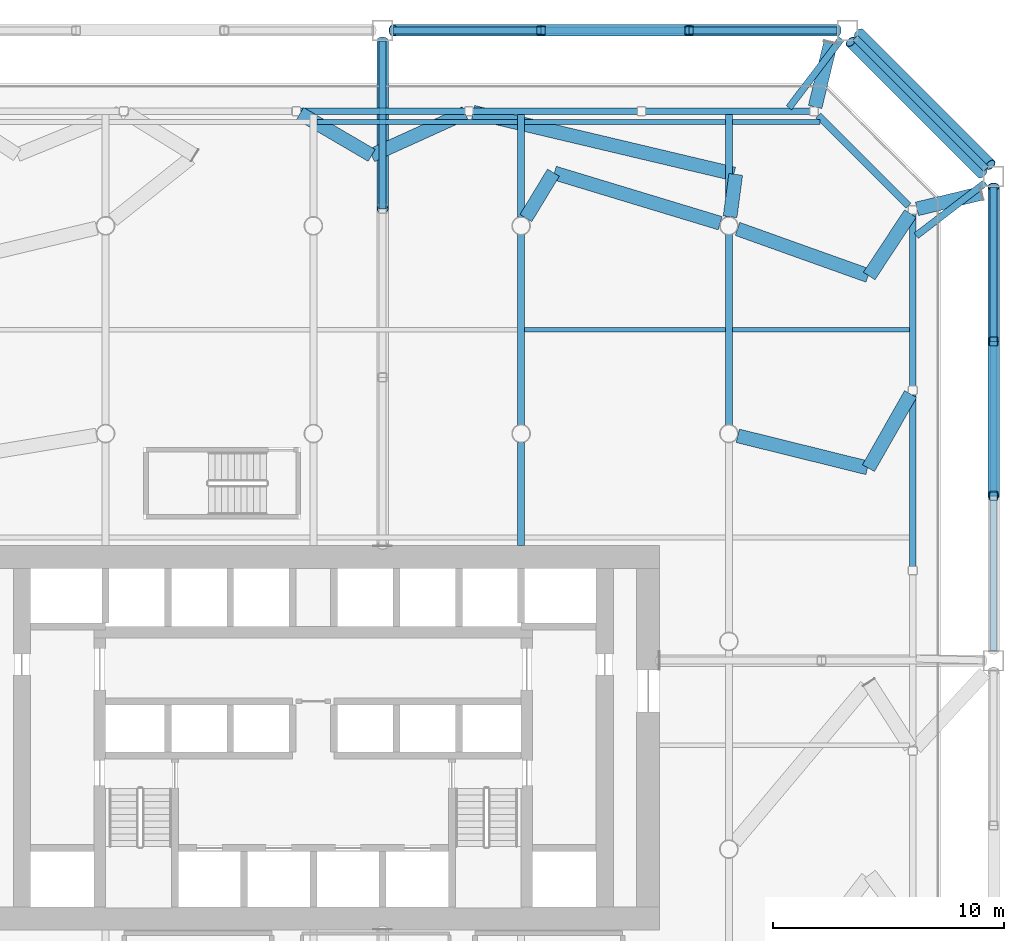
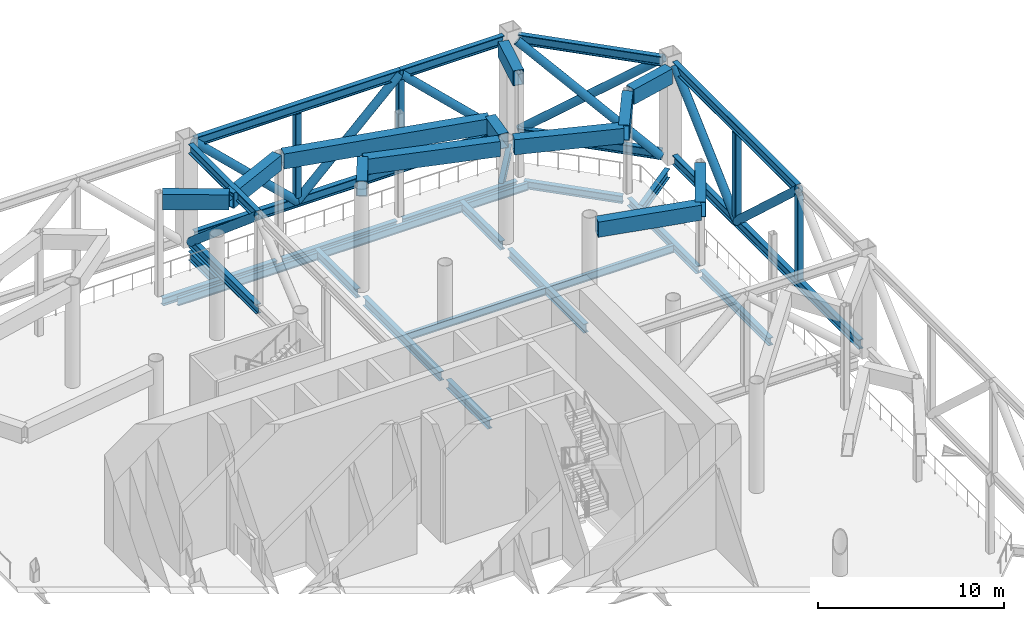
# One storey, part 6 of 20: 42 beams, 12 members.
"""IFC4 building model written with IfcOpenShell, lengths in metres."""

from ifc_helpers import new_model, si_unit, direction, frame, origin, origin_2d, place, context, subcontext, project, spatial, hollow_rectangle, hollow_circle, i_section, extrude, material, material_profile, profile_set, type_object, element, save


model = new_model("IFC4")

# Units and contexts
model_context = context("Model", 3, precision=1e-05, world=origin(), true_north=direction((0.0, 1.0)))
body_context = subcontext(model_context, "Body", "Model", "MODEL_VIEW")
ifc_project = project(units=[si_unit("LENGTHUNIT", "METRE"), si_unit("AREAUNIT", "SQUARE_METRE"), si_unit("VOLUMEUNIT", "CUBIC_METRE"), si_unit("PLANEANGLEUNIT", "RADIAN"), si_unit("MASSUNIT", "GRAM", prefix="KILO")], contexts=[model_context])

# Site, building, storey
site_placement = place(None, origin())
site = spatial("IfcSite", under=ifc_project, at=site_placement, CompositionType="ELEMENT")
building_placement = place(site_placement, origin())
building = spatial("IfcBuilding", under=site, at=building_placement, Name="Tskaro Facet Tower", CompositionType="ELEMENT")
storey_placement = place(building_placement, frame((0.0, 0.0, 114.300048828125)))
storey = spatial("IfcBuildingStorey", under=building, at=storey_placement, Name="L27", CompositionType="ELEMENT", Elevation=114.300048828125)

# Beams
ifc_material_1 = material(Name="Steel S355J2", Category="steel")
ifc_material_profile_1 = material_profile(ifc_material_1, hollow_rectangle(XDim=0.60009765625, YDim=1.0, WallThickness=0.0400390625, at=origin_2d()), Name="BOX 600x1000x40")
ifc_profile_set_1 = profile_set([ifc_material_profile_1], Name="Steel S355J2")
beam_type_1 = type_object("IfcBeamType", Name="BOX 600x1000x40 transfer girder", PredefinedType="BEAM", material=ifc_profile_set_1)
for number, where, z_axis, x_axis, name in (
    (1, (28.932373046875, 19.408447265625, 6.280029296875), (-0.971911603284, -0.235346203287, 0.0), (0.235346203287, -0.971911603284, 0.0), "BOX 600x1000x40 TG3-7"),
    (2, (22.408447265625, 25.932373046875, 6.280029296875), (-0.235346203287, -0.971911603284, 0.0), (0.971911603284, -0.235346203287, 0.0), "BOX 600x1000x40 TG3-8"),
):
    element("IfcBeam", number, at=place(storey_placement, frame(where, z_axis=z_axis, x_axis=x_axis)), inside=storey, type_object=beam_type_1, Name=name, PredefinedType="BEAM", context=body_context, shape_type="SweptSolid", body=[
        extrude(hollow_rectangle(XDim=0.60009765625, YDim=1.0, WallThickness=0.0400390625, at=origin_2d()), origin(), (0.0, 0.0, 1.0), 2.863037109375),
    ])
beam_1_placement = place(storey_placement, frame((18.295654296875, 20.228759765625, 6.280029296875), z_axis=(-0.131446900286, -0.991323212885, 0.0), x_axis=(0.991323212885, -0.131446900286, 0.0)))
element("IfcBeam", 3, at=beam_1_placement, inside=storey, type_object=beam_type_1, Name="BOX 600x1000x40 TG3-11", PredefinedType="BEAM", context=body_context, shape_type="SweptSolid", body=[
    extrude(hollow_rectangle(XDim=0.60009765625, YDim=1.0, WallThickness=0.0400390625, at=origin_2d()), origin(), (0.0, 0.0, 1.0), 1.851806640625),
])
beam_2_placement = place(storey_placement, frame((18.2177734375, 20.247314453125, 6.280029296875), z_axis=(-0.973105108558, 0.23036155864, 0.0), x_axis=(-0.23036155864, -0.973105108558, 0.0)))
element("IfcBeam", 4, at=beam_2_placement, inside=storey, type_object=beam_type_1, Name="BOX 600x1000x40 TG3-12", PredefinedType="BEAM", context=body_context, shape_type="SweptSolid", body=[
    extrude(hollow_rectangle(XDim=0.60009765625, YDim=1.0, WallThickness=0.0400390625, at=origin_2d()), origin(), (0.0, 0.0, 1.0), 11.607177734375),
])
beam_3_placement = place(storey_placement, frame((10.398681640625, 20.303955078125, 6.280029296875), z_axis=(-0.518908848062, -0.854829577988, 0.0), x_axis=(0.854829577988, -0.518908848062, 0.0)))
element("IfcBeam", 5, at=beam_3_placement, inside=storey, type_object=beam_type_1, Name="BOX 600x1000x40 TG3-21", PredefinedType="BEAM", context=body_context, shape_type="SweptSolid", body=[
    extrude(hollow_rectangle(XDim=0.60009765625, YDim=1.0, WallThickness=0.0400390625, at=origin_2d()), origin(), (0.0, 0.0, 1.0), 2.298828125),
])
beam_4_placement = place(storey_placement, frame((10.436767578125, 20.292236328125, 6.280029296875), z_axis=(0.957012367894, -0.290047112893, 0.0), x_axis=(0.290047112893, 0.957012367894, 0.0)))
element("IfcBeam", 6, at=beam_4_placement, inside=storey, type_object=beam_type_1, Name="BOX 600x1000x40 TG3-22", PredefinedType="BEAM", context=body_context, shape_type="SweptSolid", body=[
    extrude(hollow_rectangle(XDim=0.60009765625, YDim=1.0, WallThickness=0.0400390625, at=origin_2d()), origin(), (0.0, 0.0, 1.0), 7.506591796875),
])
beam_5_placement = place(storey_placement, frame((24.076904296875, 15.8271484375, 6.280029296875), z_axis=(0.550536640237, 0.834811001219, 0.0), x_axis=(-0.834811001219, 0.550536640237, 0.0)))
element("IfcBeam", 7, at=beam_5_placement, inside=storey, type_object=beam_type_1, Name="BOX 600x1000x40 TG3-34", PredefinedType="BEAM", context=body_context, shape_type="SweptSolid", body=[
    extrude(hollow_rectangle(XDim=0.60009765625, YDim=1.0, WallThickness=0.0400390625, at=origin_2d()), origin(), (0.0, 0.0, 1.0), 3.239501953125),
])
beam_6_placement = place(storey_placement, frame((24.0390625, 15.840576171875, 6.280029296875), z_axis=(-0.94161608268, 0.336688510108, 0.0), x_axis=(-0.336688510108, -0.94161608268, 0.0)))
element("IfcBeam", 8, at=beam_6_placement, inside=storey, type_object=beam_type_1, Name="BOX 600x1000x40 TG3-35", PredefinedType="BEAM", context=body_context, shape_type="SweptSolid", body=[
    extrude(hollow_rectangle(XDim=0.60009765625, YDim=1.0, WallThickness=0.0400390625, at=origin_2d()), origin(), (0.0, 0.0, 1.0), 6.01708984375),
])
beam_7_placement = place(storey_placement, frame((2.525390625, 21.052001953125, 6.280029296875), z_axis=(-0.862694903064, 0.505724731674, 0.0), x_axis=(-0.505724731674, -0.862694903064, 0.0)))
element("IfcBeam", 9, at=beam_7_placement, inside=storey, type_object=beam_type_1, Name="BOX 600x1000x40 TG3-44", PredefinedType="BEAM", context=body_context, shape_type="SweptSolid", body=[
    extrude(hollow_rectangle(XDim=0.60009765625, YDim=1.0, WallThickness=0.0400390625, at=origin_2d()), origin(), (0.0, 0.0, 1.0), 3.5927734375),
])
beam_8_placement = place(storey_placement, frame((2.525390625, 21.052001953125, 6.280029296875), z_axis=(0.910509649067, 0.413487822017, 0.0), x_axis=(-0.413487822017, 0.910509649067, 0.0)))
element("IfcBeam", 10, at=beam_8_placement, inside=storey, type_object=beam_type_1, Name="BOX 600x1000x40 TG3-45", PredefinedType="BEAM", context=body_context, shape_type="SweptSolid", body=[
    extrude(hollow_rectangle(XDim=0.60009765625, YDim=1.0, WallThickness=0.0400390625, at=origin_2d()), origin(), (0.0, 0.0, 1.0), 4.4365234375),
])
beam_9_placement = place(storey_placement, frame((24.0458984375, 7.504150390625, 6.280029296875), z_axis=(0.494314960555, 0.869282876728, 0.0), x_axis=(-0.869282876728, 0.494314960555, 0.0)))
element("IfcBeam", 11, at=beam_9_placement, inside=storey, type_object=beam_type_1, Name="BOX 600x1000x40 TG3-48", PredefinedType="BEAM", context=body_context, shape_type="SweptSolid", body=[
    extrude(hollow_rectangle(XDim=0.60009765625, YDim=1.0, WallThickness=0.0400390625, at=origin_2d()), origin(), (0.0, 0.0, 1.0), 3.6923828125),
])
beam_10_placement = place(storey_placement, frame((24.007080078125, 7.513671875, 6.280029296875), z_axis=(-0.970727306276, 0.240184297675, 0.0), x_axis=(-0.240184297675, -0.970727306276, 0.0)))
element("IfcBeam", 12, at=beam_10_placement, inside=storey, type_object=beam_type_1, Name="BOX 600x1000x40 TG3-49", PredefinedType="BEAM", context=body_context, shape_type="SweptSolid", body=[
    extrude(hollow_rectangle(XDim=0.60009765625, YDim=1.0, WallThickness=0.0400390625, at=origin_2d()), origin(), (0.0, 0.0, 1.0), 5.791748046875),
])

# Members
ifc_material_2 = material(Name="Steel S355J2H", Category="steel")
ifc_material_profile_2 = material_profile(ifc_material_2, hollow_circle(Radius=0.25390625, WallThickness=0.02490234375, at=origin_2d()), Name="CHS 508x25")
ifc_profile_set_2 = profile_set([ifc_material_profile_2], Name="Steel S355J2H")
member_type_1 = type_object("IfcMemberType", Name="CHS 508x25 belt diagonal", PredefinedType="BRACE", material=ifc_profile_set_2)
for number, where, z_axis, x_axis, name in (
    (13, (29.467041015625, 6.3056640625, 6.469970703125), (0.0, 0.735783347307, -0.677217000544), (-1.0, 0.0, 0.0), "CHS 508x25 BD2-052"),
    (14, (29.467041015625, 12.998291015625, 0.31005859375), (0.0, 0.735783347307, 0.677217000544), (-1.0, 0.0, 0.0), "CHS 508x25 BD2-053"),
):
    element("IfcMember", number, at=place(storey_placement, frame(where, z_axis=z_axis, x_axis=x_axis)), inside=storey, type_object=member_type_1, Name=name, PredefinedType="BRACE", context=body_context, shape_type="SweptSolid", body=[
        extrude(hollow_circle(Radius=0.25390625, WallThickness=0.02490234375, at=origin_2d()), origin(), (0.0, 0.0, 1.0), 9.095947265625),
    ])
member_1_placement = place(storey_placement, frame((28.96923828125, 20.279541015625, 0.31005859375), z_axis=(-0.561468566945, 0.561468566945, 0.607870131414), x_axis=(-0.707106781187, -0.707106781187, 0.0)))
element("IfcMember", 15, at=member_1_placement, inside=storey, type_object=member_type_1, Name="CHS 508x25 BD2-061", PredefinedType="BRACE", context=body_context, shape_type="SweptSolid", body=[
    extrude(hollow_circle(Radius=0.25390625, WallThickness=0.02490234375, at=origin_2d()), origin(), (0.0, 0.0, 1.0), 10.133544921875),
])
member_2_placement = place(storey_placement, frame((29.328369140625, 20.638916015625, 6.469970703125), z_axis=(-0.561459664372, 0.561459664372, -0.607886577058), x_axis=(-0.707106781187, -0.707106781187, 0.0)))
element("IfcMember", 16, at=member_2_placement, inside=storey, type_object=member_type_1, Name="CHS 508x25 BD2-062", PredefinedType="BRACE", context=body_context, shape_type="SweptSolid", body=[
    extrude(hollow_circle(Radius=0.25390625, WallThickness=0.02490234375, at=origin_2d()), origin(), (0.0, 0.0, 1.0), 10.13330078125),
])
for number, where, z_axis, x_axis, name in (
    (17, (22.69091796875, 26.467041015625, 0.31005859375), (-0.721225455609, 0.0, 0.692700398572), (0.0, -1.0, 0.0), "CHS 508x25 BD2-071"),
    (18, (16.27734375, 26.467041015625, 6.469970703125), (-0.721225455609, 0.0, -0.692700398572), (0.0, -1.0, 0.0), "CHS 508x25 BD2-072"),
):
    element("IfcMember", number, at=place(storey_placement, frame(where, z_axis=z_axis, x_axis=x_axis)), inside=storey, type_object=member_type_1, Name=name, PredefinedType="BRACE", context=body_context, shape_type="SweptSolid", body=[
        extrude(hollow_circle(Radius=0.25390625, WallThickness=0.02490234375, at=origin_2d()), origin(), (0.0, 0.0, 1.0), 8.892578125),
    ])
member_3_placement = place(storey_placement, frame((9.86376953125, 26.467041015625, 0.31005859375), z_axis=(-0.721238628738, 0.0, 0.692686682719), x_axis=(0.0, -1.0, 0.0)))
element("IfcMember", 19, at=member_3_placement, inside=storey, type_object=member_type_1, Name="CHS 508x25 BD2-073", PredefinedType="BRACE", context=body_context, shape_type="SweptSolid", body=[
    extrude(hollow_circle(Radius=0.25390625, WallThickness=0.02490234375, at=origin_2d()), origin(), (0.0, 0.0, 1.0), 8.892822265625),
])
ifc_material_profile_3 = material_profile(ifc_material_2, hollow_circle(Radius=0.25390625, WallThickness=0.02490234375, at=origin_2d()), Name="CHS 508x25")
ifc_profile_set_3 = profile_set([ifc_material_profile_3], Name="Steel S355J2H")
member_type_2 = type_object("IfcMemberType", Name="CHS 508x25 outrigger truss diagonal", PredefinedType="BRACE", material=ifc_profile_set_3)
member_4_placement = place(storey_placement, frame((3.0, 26.01708984375, 0.31005859375), z_axis=(0.0, -0.763786899324, 0.64546849065), x_axis=(1.0, 0.0, 0.0)))
element("IfcMember", 20, at=member_4_placement, inside=storey, type_object=member_type_2, Name="Outrigger truss diagonal OR2N-D1", PredefinedType="BRACE", context=body_context, shape_type="SweptSolid", body=[
    extrude(hollow_circle(Radius=0.25390625, WallThickness=0.02490234375, at=origin_2d()), origin(), (0.0, 0.0, 1.0), 9.543212890625),
])

# Beams
ifc_material_profile_4 = material_profile(ifc_material_1, i_section(OverallWidth=0.300048828125, OverallDepth=0.5, WebThickness=0.014404296875, FlangeThickness=0.028076171875, FilletRadius=0.027099609375, at=origin_2d()), Name="HE 500 B")
ifc_profile_set_4 = profile_set([ifc_material_profile_4], Name="Steel S355J2")
beam_type_2 = type_object("IfcBeamType", Name="HE 500 B ring beam", PredefinedType="BEAM", material=ifc_profile_set_4)
for number, where, z_axis, x_axis, name in (
    (21, (25.965087890625, 3.248046875, -0.5), (0.0, 1.0, 0.0), (-1.0, 0.0, 0.0), "HE 500 B EB10-2"),
    (22, (25.965087890625, 11.05908203125, -0.5), (0.0, 1.0, 0.0), (-1.0, 0.0, 0.0), "HE 500 B EB11-2"),
):
    element("IfcBeam", number, at=place(storey_placement, frame(where, z_axis=z_axis, x_axis=x_axis)), inside=storey, type_object=beam_type_2, Name=name, PredefinedType="BEAM", context=body_context, shape_type="SweptSolid", body=[
        extrude(i_section(OverallWidth=0.300048828125, OverallDepth=0.5, WebThickness=0.014404296875, FlangeThickness=0.028076171875, FilletRadius=0.027099609375, at=origin_2d()), origin(), (0.0, 0.0, 1.0), 7.450927734375),
    ])
beam_11_placement = place(storey_placement, frame((25.779052734375, 18.8759765625, -0.5), z_axis=(-0.707106781187, 0.707106781187, 0.0), x_axis=(-0.707106781187, -0.707106781187, 0.0)))
element("IfcBeam", 23, at=beam_11_placement, inside=storey, type_object=beam_type_2, Name="HE 500 B EB12-2", PredefinedType="BEAM", context=body_context, shape_type="SweptSolid", body=[
    extrude(i_section(OverallWidth=0.300048828125, OverallDepth=0.5, WebThickness=0.014404296875, FlangeThickness=0.028076171875, FilletRadius=0.027099609375, at=origin_2d()), origin(), (0.0, 0.0, 1.0), 5.519775390625),
])
for number, where, z_axis, x_axis, name in (
    (24, (21.510009765625, 22.965087890625, -0.5), (-1.0, 0.0, 0.0), (0.0, -1.0, 0.0), "HE 500 B EB13-2"),
    (25, (14.033935546875, 22.965087890625, -0.5), (-1.0, 0.0, 0.0), (0.0, -1.0, 0.0), "HE 500 B EB14-2"),
):
    element("IfcBeam", number, at=place(storey_placement, frame(where, z_axis=z_axis, x_axis=x_axis)), inside=storey, type_object=beam_type_2, Name=name, PredefinedType="BEAM", context=body_context, shape_type="SweptSolid", body=[
        extrude(i_section(OverallWidth=0.300048828125, OverallDepth=0.5, WebThickness=0.014404296875, FlangeThickness=0.028076171875, FilletRadius=0.027099609375, at=origin_2d()), origin(), (0.0, 0.0, 1.0), 7.115966796875),
    ])
beam_12_placement = place(storey_placement, frame((6.55810546875, 22.965087890625, -0.5), z_axis=(-1.0, 0.0, 0.0), x_axis=(0.0, -1.0, 0.0)))
element("IfcBeam", 26, at=beam_12_placement, inside=storey, type_object=beam_type_2, Name="HE 500 B EB15-2", PredefinedType="BEAM", context=body_context, shape_type="SweptSolid", body=[
    extrude(i_section(OverallWidth=0.300048828125, OverallDepth=0.5, WebThickness=0.014404296875, FlangeThickness=0.028076171875, FilletRadius=0.027099609375, at=origin_2d()), origin(), (0.0, 0.0, 1.0), 7.1162109375),
])
ifc_material_profile_5 = material_profile(ifc_material_1, i_section(OverallWidth=0.300048828125, OverallDepth=0.590087890625, WebThickness=0.012939453125, FlangeThickness=0.02490234375, FilletRadius=0.027099609375, at=origin_2d()), Name="HE 600 A")
ifc_profile_set_5 = profile_set([ifc_material_profile_5], Name="Steel S355J2")
beam_type_3 = type_object("IfcBeamType", Name="HE 600 A girder", PredefinedType="BEAM", material=ifc_profile_set_5)
beam_13_placement = place(storey_placement, frame((9.0, 4.14990234375, -0.545166015625), z_axis=(0.0, 1.0, 0.0), x_axis=(-1.0, 0.0, 0.0)))
element("IfcBeam", 27, at=beam_13_placement, inside=storey, type_object=beam_type_3, Name="HE 600 A GB5-3-2", PredefinedType="BEAM", context=body_context, shape_type="SweptSolid", body=[
    extrude(i_section(OverallWidth=0.300048828125, OverallDepth=0.590087890625, WebThickness=0.012939453125, FlangeThickness=0.02490234375, FilletRadius=0.027099609375, at=origin_2d()), origin(), (0.0, 0.0, 1.0), 4.4736328125),
])
beam_14_placement = place(storey_placement, frame((9.0, 9.37646484375, -0.545166015625), z_axis=(0.0, 1.0, 0.0), x_axis=(-1.0, 0.0, 0.0)))
element("IfcBeam", 28, at=beam_14_placement, inside=storey, type_object=beam_type_3, Name="HE 600 A GB5-4-2", PredefinedType="BEAM", context=body_context, shape_type="SweptSolid", body=[
    extrude(i_section(OverallWidth=0.300048828125, OverallDepth=0.590087890625, WebThickness=0.012939453125, FlangeThickness=0.02490234375, FilletRadius=0.027099609375, at=origin_2d()), origin(), (0.0, 0.0, 1.0), 8.2470703125),
])
beam_15_placement = place(storey_placement, frame((9.0, 18.37646484375, -0.545166015625), z_axis=(0.0, 1.0, 0.0), x_axis=(-1.0, 0.0, 0.0)))
element("IfcBeam", 29, at=beam_15_placement, inside=storey, type_object=beam_type_3, Name="HE 600 A GB5-5-2", PredefinedType="BEAM", context=body_context, shape_type="SweptSolid", body=[
    extrude(i_section(OverallWidth=0.300048828125, OverallDepth=0.590087890625, WebThickness=0.012939453125, FlangeThickness=0.02490234375, FilletRadius=0.027099609375, at=origin_2d()), origin(), (0.0, 0.0, 1.0), 4.4384765625),
])
beam_16_placement = place(storey_placement, frame((18.0, 9.37646484375, -0.545166015625), z_axis=(0.0, 1.0, 0.0), x_axis=(-1.0, 0.0, 0.0)))
element("IfcBeam", 30, at=beam_16_placement, inside=storey, type_object=beam_type_3, Name="HE 600 A GB6-5-2", PredefinedType="BEAM", context=body_context, shape_type="SweptSolid", body=[
    extrude(i_section(OverallWidth=0.300048828125, OverallDepth=0.590087890625, WebThickness=0.012939453125, FlangeThickness=0.02490234375, FilletRadius=0.027099609375, at=origin_2d()), origin(), (0.0, 0.0, 1.0), 8.2470703125),
])
beam_17_placement = place(storey_placement, frame((18.0, 18.37646484375, -0.545166015625), z_axis=(0.0, 1.0, 0.0), x_axis=(-1.0, 0.0, 0.0)))
element("IfcBeam", 31, at=beam_17_placement, inside=storey, type_object=beam_type_3, Name="HE 600 A GB6-6-2", PredefinedType="BEAM", context=body_context, shape_type="SweptSolid", body=[
    extrude(i_section(OverallWidth=0.300048828125, OverallDepth=0.590087890625, WebThickness=0.012939453125, FlangeThickness=0.02490234375, FilletRadius=0.027099609375, at=origin_2d()), origin(), (0.0, 0.0, 1.0), 4.4384765625),
])
ifc_material_profile_6 = material_profile(ifc_material_1, i_section(OverallWidth=0.300048828125, OverallDepth=0.60009765625, WebThickness=0.015380859375, FlangeThickness=0.030029296875, FilletRadius=0.027099609375, at=origin_2d()), Name="HE 600 B")
ifc_profile_set_6 = profile_set([ifc_material_profile_6], Name="Steel S355J2")
beam_type_4 = type_object("IfcBeamType", Name="HE 600 B floor strut", PredefinedType="BEAM", material=ifc_profile_set_6)
beam_18_placement = place(storey_placement, frame((29.109619140625, 19.867431640625, -0.550048828125), z_axis=(-0.794072927942, -0.607822494738, 0.0), x_axis=(0.607822494738, -0.794072927942, 0.0)))
element("IfcBeam", 32, at=beam_18_placement, inside=storey, type_object=beam_type_4, Name="HE 600 B ES2-06", PredefinedType="BEAM", context=body_context, shape_type="SweptSolid", body=[
    extrude(i_section(OverallWidth=0.300048828125, OverallDepth=0.60009765625, WebThickness=0.015380859375, FlangeThickness=0.030029296875, FilletRadius=0.027099609375, at=origin_2d()), origin(), (0.0, 0.0, 1.0), 3.771240234375),
])
beam_19_placement = place(storey_placement, frame((22.869384765625, 26.1083984375, -0.550048828125), z_axis=(-0.603872707573, -0.797080769464, 0.0), x_axis=(0.797080769464, -0.603872707573, 0.0)))
element("IfcBeam", 33, at=beam_19_placement, inside=storey, type_object=beam_type_4, Name="HE 600 B ES2-07", PredefinedType="BEAM", context=body_context, shape_type="SweptSolid", body=[
    extrude(i_section(OverallWidth=0.300048828125, OverallDepth=0.60009765625, WebThickness=0.015380859375, FlangeThickness=0.030029296875, FilletRadius=0.027099609375, at=origin_2d()), origin(), (0.0, 0.0, 1.0), 3.75537109375),
])
beam_20_placement = place(storey_placement, frame((3.0, 26.01708984375, -0.550048828125), z_axis=(0.0, -1.0, 0.0), x_axis=(1.0, 0.0, 0.0)))
element("IfcBeam", 34, at=beam_20_placement, inside=storey, type_object=beam_type_4, Name="HE 600 B ES2-08", PredefinedType="BEAM", context=body_context, shape_type="SweptSolid", body=[
    extrude(i_section(OverallWidth=0.300048828125, OverallDepth=0.60009765625, WebThickness=0.015380859375, FlangeThickness=0.030029296875, FilletRadius=0.027099609375, at=origin_2d()), origin(), (0.0, 0.0, 1.0), 2.902099609375),
])
ifc_material_profile_7 = material_profile(ifc_material_1, i_section(OverallWidth=0.304931640625, OverallDepth=0.6201171875, WebThickness=0.02099609375, FlangeThickness=0.0400390625, FilletRadius=0.027099609375, at=origin_2d()), Name="HE 600 M")
ifc_profile_set_7 = profile_set([ifc_material_profile_7], Name="Steel S355J2")
beam_type_5 = type_object("IfcBeamType", Name="HE 600 M belt chord", PredefinedType="BEAM", material=ifc_profile_set_7)
for number, where, z_axis, x_axis, name in (
    (35, (29.467041015625, 6.3056640625, 6.469970703125), (0.0, 1.0, 0.0), (-1.0, 0.0, 0.0), "HE 600 M BT2-05T2"),
    (36, (29.467041015625, -0.386962890625, 0.31005859375), (0.0, 1.0, 0.0), (-1.0, 0.0, 0.0), "HE 600 M BT2-05B1"),
):
    element("IfcBeam", number, at=place(storey_placement, frame(where, z_axis=z_axis, x_axis=x_axis)), inside=storey, type_object=beam_type_5, Name=name, PredefinedType="BEAM", context=body_context, shape_type="SweptSolid", body=[
        extrude(i_section(OverallWidth=0.304931640625, OverallDepth=0.6201171875, WebThickness=0.02099609375, FlangeThickness=0.0400390625, FilletRadius=0.027099609375, at=origin_2d()), origin(), (0.0, 0.0, 1.0), 13.38525390625),
    ])
beam_21_placement = place(storey_placement, frame((29.467041015625, 12.998291015625, 0.31005859375), z_axis=(0.0, 1.0, 0.0), x_axis=(-1.0, 0.0, 0.0)))
element("IfcBeam", 37, at=beam_21_placement, inside=storey, type_object=beam_type_5, Name="HE 600 M BT2-05B2", PredefinedType="BEAM", context=body_context, shape_type="SweptSolid", body=[
    extrude(i_section(OverallWidth=0.304931640625, OverallDepth=0.6201171875, WebThickness=0.02099609375, FlangeThickness=0.0400390625, FilletRadius=0.027099609375, at=origin_2d()), origin(), (0.0, 0.0, 1.0), 6.692626953125),
])
for number, where, z_axis, x_axis, name in (
    (38, (29.148681640625, 20.459228515625, 6.469970703125), (-0.707106781187, 0.707106781187, 0.0), (-0.707106781187, -0.707106781187, 0.0), "HE 600 M BT2-06T1"),
    (39, (29.148681640625, 20.459228515625, 0.31005859375), (-0.707106781187, 0.707106781187, 0.0), (-0.707106781187, -0.707106781187, 0.0), "HE 600 M BT2-06B1"),
):
    element("IfcBeam", number, at=place(storey_placement, frame(where, z_axis=z_axis, x_axis=x_axis)), inside=storey, type_object=beam_type_5, Name=name, PredefinedType="BEAM", context=body_context, shape_type="SweptSolid", body=[
        extrude(i_section(OverallWidth=0.304931640625, OverallDepth=0.6201171875, WebThickness=0.02099609375, FlangeThickness=0.0400390625, FilletRadius=0.027099609375, at=origin_2d()), origin(), (0.0, 0.0, 1.0), 8.046142578125),
    ])
beam_22_placement = place(storey_placement, frame((22.69091796875, 26.467041015625, 6.469970703125), z_axis=(-1.0, 0.0, 0.0), x_axis=(0.0, -1.0, 0.0)))
element("IfcBeam", 40, at=beam_22_placement, inside=storey, type_object=beam_type_5, Name="HE 600 M BT2-07T1", PredefinedType="BEAM", context=body_context, shape_type="SweptSolid", body=[
    extrude(i_section(OverallWidth=0.304931640625, OverallDepth=0.6201171875, WebThickness=0.02099609375, FlangeThickness=0.0400390625, FilletRadius=0.027099609375, at=origin_2d()), origin(), (0.0, 0.0, 1.0), 6.41357421875),
])
beam_23_placement = place(storey_placement, frame((16.27734375, 26.467041015625, 6.469970703125), z_axis=(-1.0, 0.0, 0.0), x_axis=(0.0, -1.0, 0.0)))
element("IfcBeam", 41, at=beam_23_placement, inside=storey, type_object=beam_type_5, Name="HE 600 M BT2-07T2", PredefinedType="BEAM", context=body_context, shape_type="SweptSolid", body=[
    extrude(i_section(OverallWidth=0.304931640625, OverallDepth=0.6201171875, WebThickness=0.02099609375, FlangeThickness=0.0400390625, FilletRadius=0.027099609375, at=origin_2d()), origin(), (0.0, 0.0, 1.0), 12.827392578125),
])
beam_24_placement = place(storey_placement, frame((22.69091796875, 26.467041015625, 0.31005859375), z_axis=(-1.0, 0.0, 0.0), x_axis=(0.0, -1.0, 0.0)))
element("IfcBeam", 42, at=beam_24_placement, inside=storey, type_object=beam_type_5, Name="HE 600 M BT2-07B1", PredefinedType="BEAM", context=body_context, shape_type="SweptSolid", body=[
    extrude(i_section(OverallWidth=0.304931640625, OverallDepth=0.6201171875, WebThickness=0.02099609375, FlangeThickness=0.0400390625, FilletRadius=0.027099609375, at=origin_2d()), origin(), (0.0, 0.0, 1.0), 12.8271484375),
])
beam_25_placement = place(storey_placement, frame((9.86376953125, 26.467041015625, 0.31005859375), z_axis=(-1.0, 0.0, 0.0), x_axis=(0.0, -1.0, 0.0)))
element("IfcBeam", 43, at=beam_25_placement, inside=storey, type_object=beam_type_5, Name="HE 600 M BT2-07B2", PredefinedType="BEAM", context=body_context, shape_type="SweptSolid", body=[
    extrude(i_section(OverallWidth=0.304931640625, OverallDepth=0.6201171875, WebThickness=0.02099609375, FlangeThickness=0.0400390625, FilletRadius=0.027099609375, at=origin_2d()), origin(), (0.0, 0.0, 1.0), 6.413818359375),
])
ifc_material_profile_8 = material_profile(ifc_material_1, i_section(OverallWidth=0.304931640625, OverallDepth=0.6201171875, WebThickness=0.02099609375, FlangeThickness=0.0400390625, FilletRadius=0.027099609375, at=origin_2d()), Name="HE 600 M")
ifc_profile_set_8 = profile_set([ifc_material_profile_8], Name="Steel S355J2")
beam_type_6 = type_object("IfcBeamType", Name="HE 600 M outrigger truss chord", PredefinedType="BEAM", material=ifc_profile_set_8)
for number, where, z_axis, x_axis, name in (
    (44, (3.0, 26.01708984375, 6.469970703125), (0.0, -1.0, 0.0), (1.0, 0.0, 0.0), "Outrigger truss chord OR2N-T1"),
    (45, (3.0, 26.01708984375, 0.31005859375), (0.0, -1.0, 0.0), (1.0, 0.0, 0.0), "Outrigger truss chord OR2N-B1"),
):
    element("IfcBeam", number, at=place(storey_placement, frame(where, z_axis=z_axis, x_axis=x_axis)), inside=storey, type_object=beam_type_6, Name=name, PredefinedType="BEAM", context=body_context, shape_type="SweptSolid", body=[
        extrude(i_section(OverallWidth=0.304931640625, OverallDepth=0.6201171875, WebThickness=0.02099609375, FlangeThickness=0.0400390625, FilletRadius=0.027099609375, at=origin_2d()), origin(), (0.0, 0.0, 1.0), 7.2890625),
    ])
ifc_material_profile_9 = material_profile(ifc_material_1, i_section(OverallWidth=0.199951171875, OverallDepth=0.5, WebThickness=0.01025390625, FlangeThickness=0.01611328125, FilletRadius=0.02099609375, at=origin_2d()), Name="IPE 500")
ifc_profile_set_9 = profile_set([ifc_material_profile_9], Name="Steel S355J2")
beam_type_7 = type_object("IfcBeamType", Name="IPE 500 secondary beam", PredefinedType="BEAM", material=ifc_profile_set_9)
beam_26_placement = place(storey_placement, frame((9.14990234375, 13.5, -0.5), z_axis=(1.0, 0.0, 0.0), x_axis=(0.0, 1.0, 0.0)))
element("IfcBeam", 46, at=beam_26_placement, inside=storey, type_object=beam_type_7, Name="IPE 500 SB5a-4-2", PredefinedType="BEAM", context=body_context, shape_type="SweptSolid", body=[
    extrude(i_section(OverallWidth=0.199951171875, OverallDepth=0.5, WebThickness=0.01025390625, FlangeThickness=0.01611328125, FilletRadius=0.02099609375, at=origin_2d()), origin(), (0.0, 0.0, 1.0), 8.7001953125),
])
beam_27_placement = place(storey_placement, frame((18.14990234375, 13.5, -0.5), z_axis=(1.0, 0.0, 0.0), x_axis=(0.0, 1.0, 0.0)))
element("IfcBeam", 47, at=beam_27_placement, inside=storey, type_object=beam_type_7, Name="IPE 500 SB5a-5-2", PredefinedType="BEAM", context=body_context, shape_type="SweptSolid", body=[
    extrude(i_section(OverallWidth=0.199951171875, OverallDepth=0.5, WebThickness=0.01025390625, FlangeThickness=0.01611328125, FilletRadius=0.02099609375, at=origin_2d()), origin(), (0.0, 0.0, 1.0), 7.6650390625),
])
for number, where, z_axis, x_axis, name in (
    (48, (0.14990234375, 22.5, -0.5), (1.0, 0.0, 0.0), (0.0, 1.0, 0.0), "IPE 500 SB6a-3-2"),
    (49, (9.14990234375, 22.5, -0.5), (1.0, 0.0, 0.0), (0.0, 1.0, 0.0), "IPE 500 SB6a-4-2"),
):
    element("IfcBeam", number, at=place(storey_placement, frame(where, z_axis=z_axis, x_axis=x_axis)), inside=storey, type_object=beam_type_7, Name=name, PredefinedType="BEAM", context=body_context, shape_type="SweptSolid", body=[
        extrude(i_section(OverallWidth=0.199951171875, OverallDepth=0.5, WebThickness=0.01025390625, FlangeThickness=0.01611328125, FilletRadius=0.02099609375, at=origin_2d()), origin(), (0.0, 0.0, 1.0), 8.7001953125),
    ])
beam_28_placement = place(storey_placement, frame((18.14990234375, 22.5, -0.5), z_axis=(1.0, 0.0, 0.0), x_axis=(0.0, 1.0, 0.0)))
element("IfcBeam", 50, at=beam_28_placement, inside=storey, type_object=beam_type_7, Name="IPE 500 SB6a-5-2", PredefinedType="BEAM", context=body_context, shape_type="SweptSolid", body=[
    extrude(i_section(OverallWidth=0.199951171875, OverallDepth=0.5, WebThickness=0.01025390625, FlangeThickness=0.01611328125, FilletRadius=0.02099609375, at=origin_2d()), origin(), (0.0, 0.0, 1.0), 3.793212890625),
])

# Members
ifc_material_profile_10 = material_profile(ifc_material_2, hollow_rectangle(XDim=0.39990234375, YDim=0.39990234375, WallThickness=0.02490234375, InnerFilletRadius=0.03759765625, OuterFilletRadius=0.0625, at=origin_2d()), Name="SHS 400x400x25")
ifc_profile_set_10 = profile_set([ifc_material_profile_10], Name="Steel S355J2H")
member_type_3 = type_object("IfcMemberType", Name="SHS 400x400x25 belt post", PredefinedType="POST", material=ifc_profile_set_10)
for number, where, z_axis, x_axis, name in (
    (51, (29.467041015625, 6.3056640625, 0.619873046875), (0.0, 0.0, 1.0), (1.0, 0.0, 0.0), "SHS 400x400x25 BP2-051"),
    (52, (29.467041015625, 12.998291015625, 0.619873046875), (0.0, 0.0, 1.0), (1.0, 0.0, 0.0), "SHS 400x400x25 BP2-052"),
    (53, (16.27734375, 26.467041015625, 0.619873046875), (0.0, 0.0, 1.0), (1.0, 0.0, 0.0), "SHS 400x400x25 BP2-071"),
    (54, (9.86376953125, 26.467041015625, 0.619873046875), (0.0, 0.0, 1.0), (1.0, 0.0, 0.0), "SHS 400x400x25 BP2-072"),
):
    element("IfcMember", number, at=place(storey_placement, frame(where, z_axis=z_axis, x_axis=x_axis)), inside=storey, type_object=member_type_3, Name=name, PredefinedType="POST", context=body_context, shape_type="SweptSolid", body=[
        extrude(hollow_rectangle(XDim=0.39990234375, YDim=0.39990234375, WallThickness=0.02490234375, InnerFilletRadius=0.03759765625, OuterFilletRadius=0.0625, at=origin_2d()), origin(), (0.0, 0.0, 1.0), 5.5400390625),
    ])

save(model, "model.ifc")
